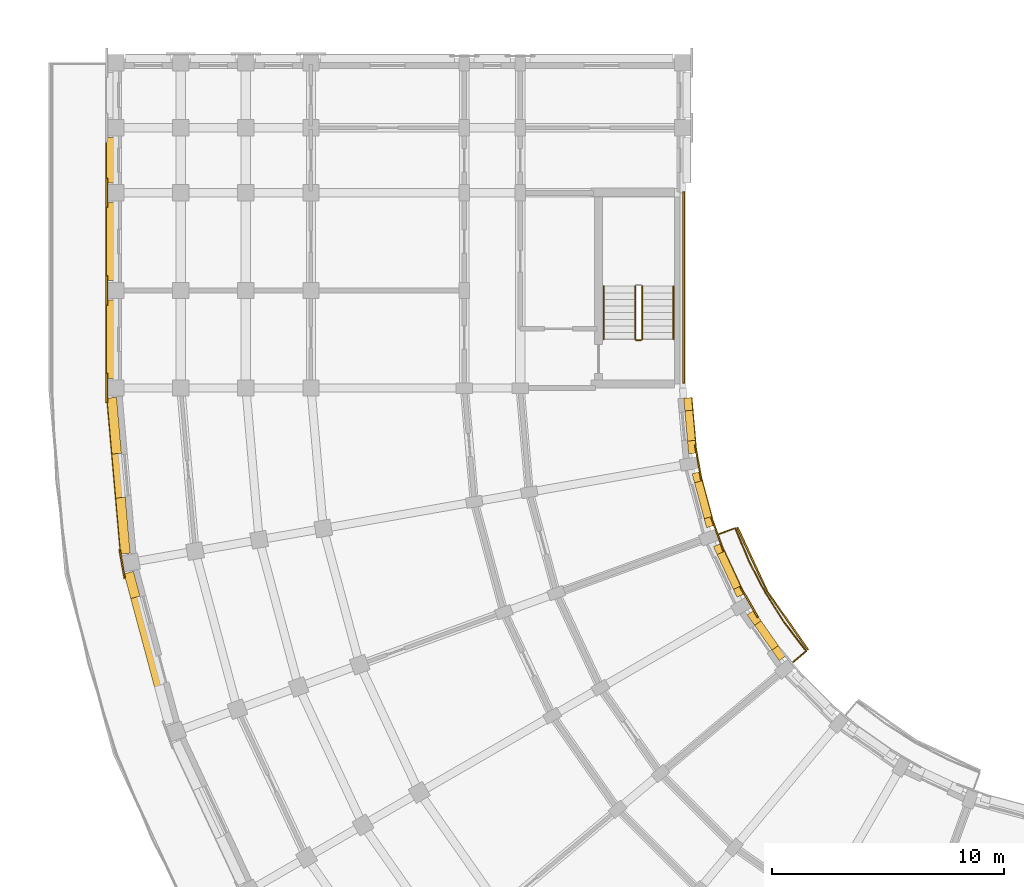
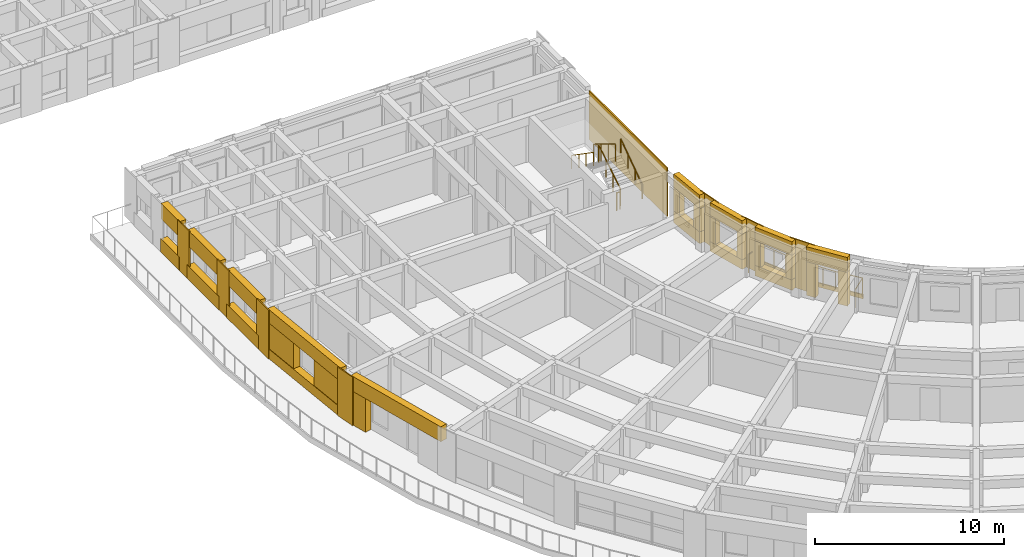
# One storey, part 43 of 57: 36 coverings, 6 railings.
"""IFC4 building model written with IfcOpenShell, lengths in metres."""

from ifc_helpers import new_model, si_unit, direction, frame, origin, origin_2d, place, context, subcontext, project, spatial, polyline, circle, outline, extrude, material, layer, layer_set, type_object, element, save


model = new_model("IFC4")

# Units and contexts
model_context = context("Model", 3, precision=1e-05, world=origin(), true_north=direction((0.0, 1.0)))
body_context = subcontext(model_context, "Body", "Model", "MODEL_VIEW")
ifc_project = project(units=[si_unit("LENGTHUNIT", "METRE"), si_unit("AREAUNIT", "SQUARE_METRE"), si_unit("VOLUMEUNIT", "CUBIC_METRE"), si_unit("PLANEANGLEUNIT", "RADIAN"), si_unit("MASSUNIT", "GRAM", prefix="KILO")], contexts=[model_context])

# Site, building, storey
site_placement = place(None, origin())
site = spatial("IfcSite", under=ifc_project, at=site_placement, CompositionType="ELEMENT")
building_placement = place(site_placement, origin())
building = spatial("IfcBuilding", under=site, at=building_placement, Name="Kiranvali Square Residences", CompositionType="ELEMENT")
storey_placement = place(building_placement, frame((0.0, 0.0, 21.300048828125)))
storey = spatial("IfcBuildingStorey", under=building, at=storey_placement, Name="L06", CompositionType="ELEMENT", Elevation=21.300048828125)

# Coverings
ifc_material_1 = material(Name="Carved Porbandar limestone classical entablature and cornice", Category="masonry")
ifc_layer_1 = layer(ifc_material_1, 0.06201171875)
ifc_layer_set_1 = layer_set([ifc_layer_1], Name="Carved Porbandar limestone classical entablature and cornice")
covering_type_1 = type_object("IfcCoveringType", Name="COV-CLAD-GBAL", PredefinedType="CLADDING", material=ifc_layer_set_1)
covering_1_placement = place(storey_placement, frame((0.0, 0.0, -0.219970703125)))
element("IfcCovering", 1, at=covering_1_placement, inside=storey, type_object=covering_type_1, Name="Block C L06 garden balcony limestone fascia 2", PredefinedType="CLADDING", context=body_context, shape_type="SweptSolid", body=[
    extrude(outline(polyline([(34.8095703125, 36.964111328125), (33.061767578125, 39.4599609375), (31.774169921875, 42.221435546875), (31.710205078125, 42.1982421875), (33.0029296875, 39.426025390625), (34.757568359375, 36.92041015625), (34.8095703125, 36.964111328125)])), origin(), (0.0, 0.0, 1.0), 0.27001953125),
])
ifc_material_2 = material(Name="Honed Porbandar limestone ashlar facade cladding", Category="masonry")
ifc_layer_2 = layer(ifc_material_2, 0.3798828125)
ifc_layer_set_2 = layer_set([ifc_layer_2], Name="Honed Porbandar limestone ashlar facade cladding")
covering_type_2 = type_object("IfcCoveringType", Name="COV-CLAD-JAMB", PredefinedType="CLADDING", material=ifc_layer_set_2)
covering_2_placement = place(storey_placement, origin())
element("IfcCovering", 2, at=covering_2_placement, inside=storey, type_object=covering_type_2, Name="L06 deep limestone window jamb reveal C-L06-CRV-07.R", PredefinedType="CLADDING", context=body_context, shape_type="SweptSolid", body=[
    extrude(outline(polyline([(6.0439453125, 39.24951171875), (5.75927734375, 40.31201171875), (5.36376953125, 40.205810546875), (5.6484375, 39.1435546875), (6.0439453125, 39.24951171875)])), origin(), (0.0, 0.0, 1.0), 2.179931640625),
])
covering_3_placement = place(storey_placement, frame((0.0, 0.0, 0.6298828125)))
element("IfcCovering", 3, at=covering_3_placement, inside=storey, type_object=covering_type_2, Name="L06 deep limestone window jamb reveal C-L06-CRV-08.L", PredefinedType="CLADDING", context=body_context, shape_type="SweptSolid", body=[
    extrude(outline(polyline([(5.620849609375, 41.096923828125), (5.410400390625, 43.502685546875), (5.00244140625, 43.467041015625), (5.212890625, 41.06103515625), (5.620849609375, 41.096923828125)])), origin(), (0.0, 0.0, 1.0), 1.650146484375),
])
covering_4_placement = place(storey_placement, frame((0.0, 0.0, 0.6298828125)))
element("IfcCovering", 4, at=covering_4_placement, inside=storey, type_object=covering_type_2, Name="L06 deep limestone window jamb reveal C-L06-CRV-08.R", PredefinedType="CLADDING", context=body_context, shape_type="SweptSolid", body=[
    extrude(outline(polyline([(5.244873046875, 45.3955078125), (5.034423828125, 47.801513671875), (4.62646484375, 47.765869140625), (4.8369140625, 45.35986328125), (5.244873046875, 45.3955078125)])), origin(), (0.0, 0.0, 1.0), 1.650146484375),
])
covering_5_placement = place(storey_placement, origin())
element("IfcCovering", 5, at=covering_5_placement, inside=storey, type_object=covering_type_2, Name="L06 deep limestone window jamb reveal C-L06-GDN-05.L", PredefinedType="CLADDING", context=body_context, shape_type="SweptSolid", body=[
    extrude(outline(polyline([(33.824462890625, 36.671142578125), (33.509765625, 37.120361328125), (33.231689453125, 36.925537109375), (33.54638671875, 36.476318359375), (33.824462890625, 36.671142578125)])), origin(), (0.0, 0.0, 1.0), 2.179931640625),
])
covering_6_placement = place(storey_placement, origin())
element("IfcCovering", 6, at=covering_6_placement, inside=storey, type_object=covering_type_2, Name="L06 deep limestone window jamb reveal C-L06-GDN-05.R", PredefinedType="CLADDING", context=body_context, shape_type="SweptSolid", body=[
    extrude(outline(polyline([(32.76416015625, 38.185302734375), (32.44970703125, 38.634521484375), (32.171630859375, 38.43994140625), (32.486083984375, 37.990478515625), (32.76416015625, 38.185302734375)])), origin(), (0.0, 0.0, 1.0), 2.179931640625),
])
covering_7_placement = place(storey_placement, frame((0.0, 0.0, 0.671875)))
element("IfcCovering", 7, at=covering_7_placement, inside=storey, type_object=covering_type_2, Name="L06 deep limestone window jamb reveal C-L06-GDN-06.L", PredefinedType="CLADDING", context=body_context, shape_type="SweptSolid", body=[
    extrude(outline(polyline([(32.041015625, 39.342529296875), (31.883056640625, 39.680908203125), (31.575439453125, 39.53759765625), (31.733154296875, 39.198974609375), (32.041015625, 39.342529296875)])), origin(), (0.0, 0.0, 1.0), 1.60009765625),
])
covering_8_placement = place(storey_placement, frame((0.0, 0.0, 0.671875)))
element("IfcCovering", 8, at=covering_8_placement, inside=storey, type_object=covering_type_2, Name="L06 deep limestone window jamb reveal C-L06-GDN-06.R", PredefinedType="CLADDING", context=body_context, shape_type="SweptSolid", body=[
    extrude(outline(polyline([(31.185791015625, 41.176513671875), (31.02783203125, 41.514892578125), (30.72021484375, 41.37158203125), (30.8779296875, 41.032958984375), (31.185791015625, 41.176513671875)])), origin(), (0.0, 0.0, 1.0), 1.60009765625),
])
covering_9_placement = place(storey_placement, frame((0.0, 0.0, 0.6220703125)))
element("IfcCovering", 9, at=covering_9_placement, inside=storey, type_object=covering_type_2, Name="L06 deep limestone window jamb reveal C-L06-GDN-07.L", PredefinedType="CLADDING", context=body_context, shape_type="SweptSolid", body=[
    extrude(outline(polyline([(30.748291015625, 42.282958984375), (30.645263671875, 42.66796875), (30.317138671875, 42.580078125), (30.42041015625, 42.195068359375), (30.748291015625, 42.282958984375)])), origin(), (0.0, 0.0, 1.0), 1.64990234375),
])
covering_10_placement = place(storey_placement, frame((0.0, 0.0, 0.6220703125)))
element("IfcCovering", 10, at=covering_10_placement, inside=storey, type_object=covering_type_2, Name="L06 deep limestone window jamb reveal C-L06-GDN-07.R", PredefinedType="CLADDING", context=body_context, shape_type="SweptSolid", body=[
    extrude(outline(polyline([(30.23095703125, 44.21337890625), (30.1279296875, 44.598388671875), (29.800048828125, 44.510498046875), (29.903076171875, 44.12548828125), (30.23095703125, 44.21337890625)])), origin(), (0.0, 0.0, 1.0), 1.64990234375),
])
covering_11_placement = place(storey_placement, frame((0.0, 0.0, 0.77197265625)))
element("IfcCovering", 11, at=covering_11_placement, inside=storey, type_object=covering_type_2, Name="L06 deep limestone window jamb reveal C-L06-GDN-08.L", PredefinedType="CLADDING", context=body_context, shape_type="SweptSolid", body=[
    extrude(outline(polyline([(29.986083984375, 45.4033203125), (29.938232421875, 45.94970703125), (29.599853515625, 45.920166015625), (29.647705078125, 45.373779296875), (29.986083984375, 45.4033203125)])), origin(), (0.0, 0.0, 1.0), 1.5),
])
covering_12_placement = place(storey_placement, frame((0.0, 0.0, 0.77197265625)))
element("IfcCovering", 12, at=covering_12_placement, inside=storey, type_object=covering_type_2, Name="L06 deep limestone window jamb reveal C-L06-GDN-08.R", PredefinedType="CLADDING", context=body_context, shape_type="SweptSolid", body=[
    extrude(outline(polyline([(29.824951171875, 47.244873046875), (29.777099609375, 47.791259765625), (29.43896484375, 47.76171875), (29.486572265625, 47.21533203125), (29.824951171875, 47.244873046875)])), origin(), (0.0, 0.0, 1.0), 1.5),
])
ifc_layer_3 = layer(ifc_material_2, 0.06494140625)
ifc_layer_set_3 = layer_set([ifc_layer_3], Name="Honed Porbandar limestone ashlar facade cladding")
covering_type_3 = type_object("IfcCoveringType", Name="COV-CLAD-PIER", PredefinedType="CLADDING", material=ifc_layer_set_3)
covering_13_placement = place(storey_placement, frame((0.0, 0.0, 0.0048828125)))
element("IfcCovering", 13, at=covering_13_placement, inside=storey, type_object=covering_type_3, Name="L06 Classical limestone corner pilaster CLAD-PR-C-L06-A08", PredefinedType="CLADDING", context=body_context, shape_type="SweptSolid", body=[
    extrude(outline(polyline([(5.13525390625, 41.246337890625), (5.35400390625, 40.00537109375), (5.42041015625, 40.01708984375), (5.20166015625, 41.258056640625), (5.13525390625, 41.246337890625)])), origin(), (0.0, 0.0, 1.0), 3.14013671875),
])
covering_14_placement = place(storey_placement, frame((0.0, 0.0, 0.0048828125)))
element("IfcCovering", 14, at=covering_14_placement, inside=storey, type_object=covering_type_3, Name="L06 Classical limestone corner pilaster CLAD-PR-C-L06-A09", PredefinedType="CLADDING", context=body_context, shape_type="SweptSolid", body=[
    extrude(outline(polyline([(4.58203125, 48.830078125), (4.58203125, 47.570068359375), (4.6494140625, 47.570068359375), (4.6494140625, 48.830078125), (4.58203125, 48.830078125)])), origin(), (0.0, 0.0, 1.0), 3.14013671875),
])
covering_15_placement = place(storey_placement, frame((0.0, 0.0, 0.0048828125)))
element("IfcCovering", 15, at=covering_15_placement, inside=storey, type_object=covering_type_3, Name="L06 Classical limestone pilaster casing CLAD-PR-C-L06-V42", PredefinedType="CLADDING", context=body_context, shape_type="SweptSolid", body=[
    extrude(outline(polyline([(4.6494140625, 51.77001953125), (4.6494140625, 53.030029296875), (4.58203125, 53.030029296875), (4.58203125, 51.77001953125), (4.6494140625, 51.77001953125)])), origin(), (0.0, 0.0, 1.0), 3.14013671875),
])
covering_16_placement = place(storey_placement, frame((0.0, 0.0, 0.0048828125)))
element("IfcCovering", 16, at=covering_16_placement, inside=storey, type_object=covering_type_3, Name="L06 Classical limestone pilaster casing CLAD-PR-C-L06-V84", PredefinedType="CLADDING", context=body_context, shape_type="SweptSolid", body=[
    extrude(outline(polyline([(4.6494140625, 55.969970703125), (4.6494140625, 57.22998046875), (4.58203125, 57.22998046875), (4.58203125, 55.969970703125), (4.6494140625, 55.969970703125)])), origin(), (0.0, 0.0, 1.0), 3.14013671875),
])
covering_17_placement = place(storey_placement, frame((0.0, 0.0, 0.0048828125)))
element("IfcCovering", 17, at=covering_17_placement, inside=storey, type_object=covering_type_3, Name="Block C L06 Arm 2 stair limestone ashlar cladding", PredefinedType="CLADDING", context=body_context, shape_type="SweptSolid", body=[
    extrude(outline(polyline([(29.47998046875, 48.39990234375), (29.47998046875, 56.64990234375), (29.402099609375, 56.64990234375), (29.402099609375, 48.39990234375), (29.47998046875, 48.39990234375)])), origin(), (0.0, 0.0, 1.0), 3.14013671875),
])
ifc_layer_4 = layer(ifc_material_2, 0.050048828125)
ifc_layer_set_4 = layer_set([ifc_layer_4], Name="Honed Porbandar limestone ashlar facade cladding")
covering_type_4 = type_object("IfcCoveringType", Name="COV-CLAD-PIER-IN", PredefinedType="CLADDING", material=ifc_layer_set_4)
covering_18_placement = place(storey_placement, frame((0.0, 0.0, 0.0048828125)))
element("IfcCovering", 18, at=covering_18_placement, inside=storey, type_object=covering_type_4, Name="L06 Classical garden courtyard pilaster CLAD-PRIN-C-L06-A06", PredefinedType="CLADDING", context=body_context, shape_type="SweptSolid", body=[
    extrude(outline(polyline([(32.65576171875, 38.359375), (31.90576171875, 39.658447265625), (31.84716796875, 39.624755859375), (32.59716796875, 38.32568359375), (32.65576171875, 38.359375)])), origin(), (0.0, 0.0, 1.0), 3.14013671875),
])
covering_19_placement = place(storey_placement, frame((0.0, 0.0, 0.0048828125)))
element("IfcCovering", 19, at=covering_19_placement, inside=storey, type_object=covering_type_4, Name="L06 Classical garden courtyard pilaster CLAD-PRIN-C-L06-A07", PredefinedType="CLADDING", context=body_context, shape_type="SweptSolid", body=[
    extrude(outline(polyline([(31.18310546875, 41.208251953125), (30.670166015625, 42.61767578125), (30.606689453125, 42.5947265625), (31.11962890625, 41.18505859375), (31.18310546875, 41.208251953125)])), origin(), (0.0, 0.0, 1.0), 3.14013671875),
])
covering_20_placement = place(storey_placement, frame((0.0, 0.0, 0.0048828125)))
element("IfcCovering", 20, at=covering_20_placement, inside=storey, type_object=covering_type_4, Name="L06 Classical garden courtyard pilaster CLAD-PRIN-C-L06-A08", PredefinedType="CLADDING", context=body_context, shape_type="SweptSolid", body=[
    extrude(outline(polyline([(30.2275390625, 44.269287109375), (29.967041015625, 45.74658203125), (29.900634765625, 45.73486328125), (30.1611328125, 44.257568359375), (30.2275390625, 44.269287109375)])), origin(), (0.0, 0.0, 1.0), 3.14013671875),
])
ifc_layer_5 = layer(ifc_material_2, 0.360107421875)
ifc_layer_set_5 = layer_set([ifc_layer_5], Name="Honed Porbandar limestone ashlar facade cladding")
covering_type_5 = type_object("IfcCoveringType", Name="COV-CLAD-WALL", PredefinedType="CLADDING", material=ifc_layer_set_5)
covering_21_placement = place(storey_placement, frame((0.0, 0.0, 2.179931640625)))
element("IfcCovering", 21, at=covering_21_placement, inside=storey, type_object=covering_type_5, Name="L06 light limestone spandrel lintel C-L06-CRV-07", PredefinedType="CLADDING", context=body_context, shape_type="SweptSolid", body=[
    extrude(outline(polyline([(7.501220703125, 33.81103515625), (5.75927734375, 40.31201171875), (5.36376953125, 40.205810546875), (7.105712890625, 33.705078125), (7.501220703125, 33.81103515625)])), origin(), (0.0, 0.0, 1.0), 0.965087890625),
])
covering_22_placement = place(storey_placement, frame((0.0, 0.0, 2.280029296875)))
element("IfcCovering", 22, at=covering_22_placement, inside=storey, type_object=covering_type_5, Name="L06 light limestone spandrel lintel C-L06-CRV-08", PredefinedType="CLADDING", context=body_context, shape_type="SweptSolid", body=[
    extrude(outline(polyline([(5.620849609375, 41.096923828125), (5.034423828125, 47.801513671875), (4.62646484375, 47.765869140625), (5.212890625, 41.06103515625), (5.620849609375, 41.096923828125)])), origin(), (0.0, 0.0, 1.0), 0.864990234375),
])
covering_23_placement = place(storey_placement, frame((0.0, 0.0, 0.0048828125)))
element("IfcCovering", 23, at=covering_23_placement, inside=storey, type_object=covering_type_5, Name="L06 limestone window sill apron C-L06-CRV-08", PredefinedType="CLADDING", context=body_context, shape_type="SweptSolid", body=[
    extrude(outline(polyline([(5.620849609375, 41.096923828125), (5.034423828125, 47.801513671875), (4.596435546875, 47.76318359375), (5.18310546875, 41.05859375), (5.620849609375, 41.096923828125)])), origin(), (0.0, 0.0, 1.0), 0.625),
])
covering_24_placement = place(storey_placement, frame((0.0, 0.0, 2.179931640625)))
element("IfcCovering", 24, at=covering_24_placement, inside=storey, type_object=covering_type_5, Name="L06 light limestone spandrel lintel C-L06-GDN-05", PredefinedType="CLADDING", context=body_context, shape_type="SweptSolid", body=[
    extrude(outline(polyline([(33.824462890625, 36.671142578125), (32.44970703125, 38.634521484375), (32.171630859375, 38.43994140625), (33.54638671875, 36.476318359375), (33.824462890625, 36.671142578125)])), origin(), (0.0, 0.0, 1.0), 0.965087890625),
])
covering_25_placement = place(storey_placement, frame((0.0, 0.0, 2.27197265625)))
element("IfcCovering", 25, at=covering_25_placement, inside=storey, type_object=covering_type_5, Name="L06 light limestone spandrel lintel C-L06-GDN-06", PredefinedType="CLADDING", context=body_context, shape_type="SweptSolid", body=[
    extrude(outline(polyline([(32.041015625, 39.342529296875), (31.02783203125, 41.514892578125), (30.72021484375, 41.37158203125), (31.733154296875, 39.198974609375), (32.041015625, 39.342529296875)])), origin(), (0.0, 0.0, 1.0), 0.873046875),
])
covering_26_placement = place(storey_placement, frame((0.0, 0.0, 2.27197265625)))
element("IfcCovering", 26, at=covering_26_placement, inside=storey, type_object=covering_type_5, Name="L06 light limestone spandrel lintel C-L06-GDN-07", PredefinedType="CLADDING", context=body_context, shape_type="SweptSolid", body=[
    extrude(outline(polyline([(30.748291015625, 42.282958984375), (30.1279296875, 44.598388671875), (29.800048828125, 44.510498046875), (30.42041015625, 42.195068359375), (30.748291015625, 42.282958984375)])), origin(), (0.0, 0.0, 1.0), 0.873046875),
])
covering_27_placement = place(storey_placement, frame((0.0, 0.0, 2.27197265625)))
element("IfcCovering", 27, at=covering_27_placement, inside=storey, type_object=covering_type_5, Name="L06 light limestone spandrel lintel C-L06-GDN-08", PredefinedType="CLADDING", context=body_context, shape_type="SweptSolid", body=[
    extrude(outline(polyline([(29.986083984375, 45.4033203125), (29.777099609375, 47.791259765625), (29.43896484375, 47.76171875), (29.647705078125, 45.373779296875), (29.986083984375, 45.4033203125)])), origin(), (0.0, 0.0, 1.0), 0.873046875),
])
covering_28_placement = place(storey_placement, frame((0.0, 0.0, 2.1298828125)))
element("IfcCovering", 28, at=covering_28_placement, inside=storey, type_object=covering_type_5, Name="L06 light limestone spandrel lintel C-L06-A2O-0", PredefinedType="CLADDING", context=body_context, shape_type="SweptSolid", body=[
    extrude(outline(polyline([(4.99951171875, 48.6201171875), (4.99951171875, 51.97998046875), (4.60009765625, 51.97998046875), (4.60009765625, 48.6201171875), (4.99951171875, 48.6201171875)])), origin(), (0.0, 0.0, 1.0), 1.01513671875),
])
covering_29_placement = place(storey_placement, frame((0.0, 0.0, 0.0048828125)))
element("IfcCovering", 29, at=covering_29_placement, inside=storey, type_object=covering_type_5, Name="L06 limestone window sill apron C-L06-A2O-0", PredefinedType="CLADDING", context=body_context, shape_type="SweptSolid", body=[
    extrude(outline(polyline([(4.99951171875, 48.6201171875), (4.99951171875, 51.97998046875), (4.570068359375, 51.97998046875), (4.570068359375, 48.6201171875), (4.99951171875, 48.6201171875)])), origin(), (0.0, 0.0, 1.0), 0.875),
])
covering_30_placement = place(storey_placement, frame((0.0, 0.0, 2.1298828125)))
element("IfcCovering", 30, at=covering_30_placement, inside=storey, type_object=covering_type_5, Name="L06 light limestone spandrel lintel C-L06-A2O-1", PredefinedType="CLADDING", context=body_context, shape_type="SweptSolid", body=[
    extrude(outline(polyline([(4.99951171875, 52.820068359375), (4.99951171875, 56.179931640625), (4.60009765625, 56.179931640625), (4.60009765625, 52.820068359375), (4.99951171875, 52.820068359375)])), origin(), (0.0, 0.0, 1.0), 1.01513671875),
])
covering_31_placement = place(storey_placement, frame((0.0, 0.0, 0.0048828125)))
element("IfcCovering", 31, at=covering_31_placement, inside=storey, type_object=covering_type_5, Name="L06 limestone window sill apron C-L06-A2O-1", PredefinedType="CLADDING", context=body_context, shape_type="SweptSolid", body=[
    extrude(outline(polyline([(4.99951171875, 52.820068359375), (4.99951171875, 56.179931640625), (4.570068359375, 56.179931640625), (4.570068359375, 52.820068359375), (4.99951171875, 52.820068359375)])), origin(), (0.0, 0.0, 1.0), 0.875),
])
covering_32_placement = place(storey_placement, frame((0.0, 0.0, 2.1298828125)))
element("IfcCovering", 32, at=covering_32_placement, inside=storey, type_object=covering_type_5, Name="L06 light limestone spandrel lintel C-L06-A2O-2", PredefinedType="CLADDING", context=body_context, shape_type="SweptSolid", body=[
    extrude(outline(polyline([(4.99951171875, 57.02001953125), (4.99951171875, 58.97998046875), (4.60009765625, 58.97998046875), (4.60009765625, 57.02001953125), (4.99951171875, 57.02001953125)])), origin(), (0.0, 0.0, 1.0), 1.01513671875),
])
covering_33_placement = place(storey_placement, frame((0.0, 0.0, 0.0048828125)))
element("IfcCovering", 33, at=covering_33_placement, inside=storey, type_object=covering_type_5, Name="L06 limestone window sill apron C-L06-A2O-2", PredefinedType="CLADDING", context=body_context, shape_type="SweptSolid", body=[
    extrude(outline(polyline([(4.99951171875, 57.02001953125), (4.99951171875, 58.97998046875), (4.570068359375, 58.97998046875), (4.570068359375, 57.02001953125), (4.99951171875, 57.02001953125)])), origin(), (0.0, 0.0, 1.0), 0.875),
])
ifc_layer_6 = layer(ifc_material_2, 0.2900390625)
ifc_layer_set_6 = layer_set([ifc_layer_6], Name="Honed Porbandar limestone ashlar facade cladding")
covering_type_6 = type_object("IfcCoveringType", Name="COV-CLAD-WALL-IN", PredefinedType="CLADDING", material=ifc_layer_set_6)
covering_34_placement = place(storey_placement, frame((0.0, 0.0, 0.0048828125)))
element("IfcCovering", 34, at=covering_34_placement, inside=storey, type_object=covering_type_6, Name="L06 limestone window sill apron C-L06-GDN-06", PredefinedType="CLADDING", context=body_context, shape_type="SweptSolid", body=[
    extrude(outline(polyline([(32.068115234375, 39.355224609375), (31.05517578125, 41.527587890625), (30.72021484375, 41.37158203125), (31.733154296875, 39.198974609375), (32.068115234375, 39.355224609375)])), origin(), (0.0, 0.0, 1.0), 0.6669921875),
])
covering_35_placement = place(storey_placement, frame((0.0, 0.0, 0.0048828125)))
element("IfcCovering", 35, at=covering_35_placement, inside=storey, type_object=covering_type_6, Name="L06 limestone window sill apron C-L06-GDN-07", PredefinedType="CLADDING", context=body_context, shape_type="SweptSolid", body=[
    extrude(outline(polyline([(30.77734375, 42.290771484375), (30.156982421875, 44.606201171875), (29.800048828125, 44.510498046875), (30.42041015625, 42.195068359375), (30.77734375, 42.290771484375)])), origin(), (0.0, 0.0, 1.0), 0.6171875),
])
covering_36_placement = place(storey_placement, frame((0.0, 0.0, 0.0048828125)))
element("IfcCovering", 36, at=covering_36_placement, inside=storey, type_object=covering_type_6, Name="L06 limestone window sill apron C-L06-GDN-08", PredefinedType="CLADDING", context=body_context, shape_type="SweptSolid", body=[
    extrude(outline(polyline([(30.015869140625, 45.406005859375), (29.806884765625, 47.7939453125), (29.43896484375, 47.76171875), (29.647705078125, 45.373779296875), (30.015869140625, 45.406005859375)])), origin(), (0.0, 0.0, 1.0), 0.76708984375),
])

# Railings
ifc_material_3 = material(Name="Powder-coated architectural bronze balustrade", Category="steel")
railing_type_1 = type_object("IfcRailingType", Name="RL-BAL-GOLD-1200", PredefinedType="BALUSTRADE", material=ifc_material_3)
railing_1_placement = place(storey_placement, frame((33.8291015625, 36.141357421875, 0.0)))
element("IfcRailing", 37, at=railing_1_placement, inside=storey, type_object=railing_type_1, Name="Block C L06 garden balcony gold balustrade 2", PredefinedType="BALUSTRADE", context=body_context, shape_type="SweptSolid", body=[
    extrude(circle(Radius=0.02392578125, at=origin_2d()), frame((0.0, 0.0, 1.17578125), z_axis=(0.765989188314, 0.642853454051, 0.0), x_axis=(-0.642853454051, 0.765989188314, 0.0)), (0.0, 0.0, 1.0), 1.14990234375),
    extrude(circle(Radius=0.02392578125, at=origin_2d()), frame((0.880859375, 0.7392578125, 1.17578125), z_axis=(-0.608811807471, 0.793314680996, 0.0), x_axis=(-0.793314680996, -0.608811807471, 0.0)), (0.0, 0.0, 1.0), 1.536376953125),
    extrude(circle(Radius=0.02392578125, at=origin_2d()), frame((-0.054443359375, 1.9580078125, 1.17578125), z_axis=(-0.537307309343, 0.843386539688, 0.0), x_axis=(-0.843386539688, -0.537307309343, 0.0)), (0.0, 0.0, 1.0), 1.5361328125),
    extrude(circle(Radius=0.02392578125, at=origin_2d()), frame((-0.8798828125, 3.253662109375, 1.17578125), z_axis=(-0.461713009976, 0.887029366154, 0.0), x_axis=(-0.887029366154, -0.461713009976, 0.0)), (0.0, 0.0, 1.0), 1.5361328125),
    extrude(circle(Radius=0.02392578125, at=origin_2d()), frame((-1.589111328125, 4.6162109375, 1.17578125), z_axis=(-0.382651197843, 0.923892883829, 0.0), x_axis=(-0.923892883829, -0.382651197843, 0.0)), (0.0, 0.0, 1.0), 1.536376953125),
    extrude(circle(Radius=0.02392578125, at=origin_2d()), frame((-2.177001953125, 6.03564453125, 1.17578125), z_axis=(-0.939712828289, -0.341964618562, 0.0), x_axis=(0.341964618562, -0.939712828289, 0.0)), (0.0, 0.0, 1.0), 1.150146484375),
    extrude(circle(Radius=0.02099609375, at=origin_2d()), origin(), (0.0, 0.0, 1.0), 1.15185546875),
    extrude(circle(Radius=0.02099609375, at=origin_2d()), frame((0.880859375, 0.7392578125, 0.0)), (0.0, 0.0, 1.0), 1.15185546875),
    extrude(circle(Radius=0.02099609375, at=origin_2d()), frame((0.4130859375, 1.3486328125, 0.0)), (0.0, 0.0, 1.0), 1.15185546875),
    extrude(circle(Radius=0.02099609375, at=origin_2d()), frame((-0.054443359375, 1.9580078125, 0.0)), (0.0, 0.0, 1.0), 1.15185546875),
    extrude(circle(Radius=0.02099609375, at=origin_2d()), frame((-0.46728515625, 2.60595703125, 0.0)), (0.0, 0.0, 1.0), 1.15185546875),
    extrude(circle(Radius=0.02099609375, at=origin_2d()), frame((-0.8798828125, 3.253662109375, 0.0)), (0.0, 0.0, 1.0), 1.15185546875),
    extrude(circle(Radius=0.02099609375, at=origin_2d()), frame((-1.234375, 3.93505859375, 0.0)), (0.0, 0.0, 1.0), 1.15185546875),
    extrude(circle(Radius=0.02099609375, at=origin_2d()), frame((-1.589111328125, 4.6162109375, 0.0)), (0.0, 0.0, 1.0), 1.15185546875),
    extrude(circle(Radius=0.02099609375, at=origin_2d()), frame((-1.883056640625, 5.325927734375, 0.0)), (0.0, 0.0, 1.0), 1.15185546875),
    extrude(circle(Radius=0.02099609375, at=origin_2d()), frame((-2.177001953125, 6.03564453125, 0.0)), (0.0, 0.0, 1.0), 1.15185546875),
    extrude(circle(Radius=0.02099609375, at=origin_2d()), frame((-3.2578125, 5.642333984375, 0.0)), (0.0, 0.0, 1.0), 1.15185546875),
])
ifc_material_4 = material(Name="Brushed stainless steel tubular handrail", Category="steel")
railing_type_2 = type_object("IfcRailingType", Name="RL-HANDRAIL-900", PredefinedType="HANDRAIL", material=ifc_material_4)
railing_2_placement = place(storey_placement, frame((29.0, 50.300048828125, 0.175048828125)))
element("IfcRailing", 38, at=railing_2_placement, inside=storey, type_object=railing_type_2, Name="L06 ST-C3 stair handrail 1", PredefinedType="HANDRAIL", context=body_context, shape_type="SweptSolid", body=[
    extrude(circle(Radius=0.02392578125, at=origin_2d()), frame((0.0, 0.0, 0.8759765625), z_axis=(0.0, 0.82278801735, 0.568348377763), x_axis=(-1.0, 0.0, 0.0)), (0.0, 0.0, 1.0), 2.77099609375),
    extrude(circle(Radius=0.02099609375, at=origin_2d()), origin(), (0.0, 0.0, 1.0), 0.851806640625),
    extrude(circle(Radius=0.02099609375, at=origin_2d()), frame((0.0, 0.760009765625, 0.52490234375)), (0.0, 0.0, 1.0), 0.851806640625),
    extrude(circle(Radius=0.02099609375, at=origin_2d()), frame((0.0, 1.52001953125, 1.050048828125)), (0.0, 0.0, 1.0), 0.851806640625),
    extrude(circle(Radius=0.02099609375, at=origin_2d()), frame((0.0, 2.280029296875, 1.574951171875)), (0.0, 0.0, 1.0), 0.851806640625),
])
railing_3_placement = place(storey_placement, frame((26.0, 52.580078125, 1.75)))
element("IfcRailing", 39, at=railing_3_placement, inside=storey, type_object=railing_type_2, Name="L06 ST-C3 stair handrail 2", PredefinedType="HANDRAIL", context=body_context, shape_type="SweptSolid", body=[
    extrude(circle(Radius=0.02392578125, at=origin_2d()), frame((0.0, 0.0, 0.8759765625), z_axis=(0.0, -0.82278801735, 0.568348377763), x_axis=(1.0, 0.0, 0.0)), (0.0, 0.0, 1.0), 2.77099609375),
    extrude(circle(Radius=0.02099609375, at=origin_2d()), origin(), (0.0, 0.0, 1.0), 0.851806640625),
    extrude(circle(Radius=0.02099609375, at=origin_2d()), frame((0.0, -0.760009765625, 0.52490234375)), (0.0, 0.0, 1.0), 0.851806640625),
    extrude(circle(Radius=0.02099609375, at=origin_2d()), frame((0.0, -1.52001953125, 1.050048828125)), (0.0, 0.0, 1.0), 0.851806640625),
    extrude(circle(Radius=0.02099609375, at=origin_2d()), frame((0.0, -2.280029296875, 1.574951171875)), (0.0, 0.0, 1.0), 0.851806640625),
])
railing_type_3 = type_object("IfcRailingType", Name="RL-ST-GUARD-1200", PredefinedType="GUARDRAIL", material=ifc_material_3)
railing_4_placement = place(storey_placement, frame((27.64990234375, 50.300048828125, 0.175048828125)))
element("IfcRailing", 40, at=railing_4_placement, inside=storey, type_object=railing_type_3, Name="L06 ST-C3 stair guard 1", PredefinedType="GUARDRAIL", context=body_context, shape_type="SweptSolid", body=[
    extrude(circle(Radius=0.02392578125, at=origin_2d()), frame((0.0, 0.0, 1.1259765625), z_axis=(0.0, 0.852190499154, 0.523231643875), x_axis=(-1.0, 0.0, 0.0)), (0.0, 0.0, 1.0), 2.675537109375),
    extrude(circle(Radius=0.02099609375, at=origin_2d()), origin(), (0.0, 0.0, 1.0), 1.101806640625),
    extrude(circle(Radius=0.02099609375, at=origin_2d()), frame((0.0, 0.760009765625, 0.466552734375)), (0.0, 0.0, 1.0), 1.101806640625),
    extrude(circle(Radius=0.02099609375, at=origin_2d()), frame((0.0, 1.52001953125, 0.933349609375)), (0.0, 0.0, 1.0), 1.101806640625),
    extrude(circle(Radius=0.02099609375, at=origin_2d()), frame((0.0, 2.280029296875, 1.39990234375)), (0.0, 0.0, 1.0), 1.101806640625),
])
railing_5_placement = place(storey_placement, frame((27.35009765625, 52.580078125, 1.75)))
element("IfcRailing", 41, at=railing_5_placement, inside=storey, type_object=railing_type_3, Name="L06 ST-C3 stair guard 3", PredefinedType="GUARDRAIL", context=body_context, shape_type="SweptSolid", body=[
    extrude(circle(Radius=0.02392578125, at=origin_2d()), frame((0.0, 0.0, 1.1259765625), z_axis=(0.0, -0.852190499154, 0.523231643875), x_axis=(1.0, 0.0, 0.0)), (0.0, 0.0, 1.0), 2.675537109375),
    extrude(circle(Radius=0.02099609375, at=origin_2d()), origin(), (0.0, 0.0, 1.0), 1.101806640625),
    extrude(circle(Radius=0.02099609375, at=origin_2d()), frame((0.0, -0.760009765625, 0.466552734375)), (0.0, 0.0, 1.0), 1.101806640625),
    extrude(circle(Radius=0.02099609375, at=origin_2d()), frame((0.0, -1.52001953125, 0.933349609375)), (0.0, 0.0, 1.0), 1.101806640625),
    extrude(circle(Radius=0.02099609375, at=origin_2d()), frame((0.0, -2.280029296875, 1.39990234375)), (0.0, 0.0, 1.0), 1.101806640625),
])
railing_6_placement = place(storey_placement, frame((27.60009765625, 50.25, 0.0)))
element("IfcRailing", 42, at=railing_6_placement, inside=storey, type_object=railing_type_3, Name="L06 ST-C3 stair guard 4", PredefinedType="GUARDRAIL", context=body_context, shape_type="SweptSolid", body=[
    extrude(circle(Radius=0.02392578125, at=origin_2d()), frame((0.0, 0.0, 1.1259765625), z_axis=(-1.0, 0.0, 0.0), x_axis=(0.0, -1.0, 0.0)), (0.0, 0.0, 1.0), 0.2001953125),
    extrude(circle(Radius=0.02099609375, at=origin_2d()), origin(), (0.0, 0.0, 1.0), 1.101806640625),
    extrude(circle(Radius=0.02099609375, at=origin_2d()), frame((-0.2001953125, 0.0, 0.0)), (0.0, 0.0, 1.0), 1.101806640625),
])

save(model, "model.ifc")
